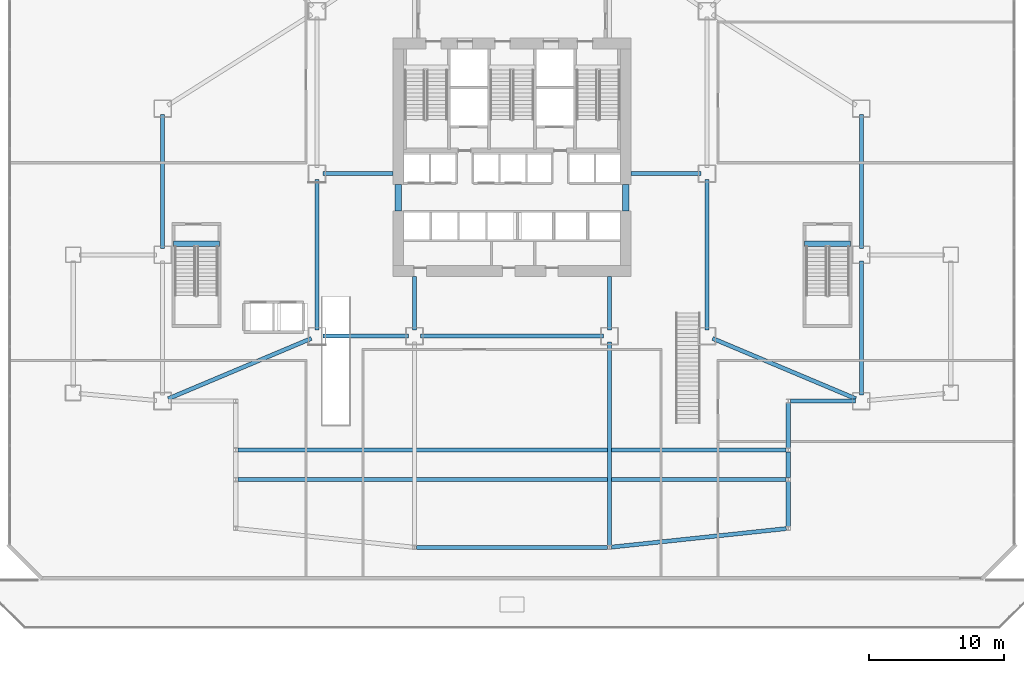
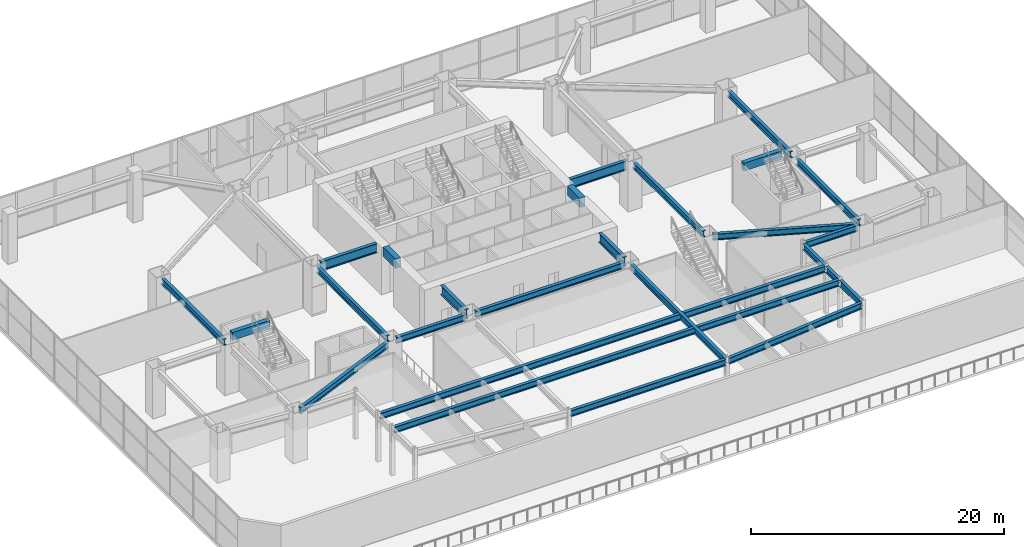
# One storey, part 8 of 31: 26 beams.
"""IFC4 building model written with IfcOpenShell, lengths in metres."""

from ifc_helpers import new_model, si_unit, direction, frame, origin, origin_2d, place, context, subcontext, project, spatial, rectangle, i_section, extrude, material, material_profile, profile_set, type_object, element, save


model = new_model("IFC4")

# Units and contexts
model_context = context("Model", 3, precision=1e-05, world=origin(), true_north=direction((0.0, 1.0)))
body_context = subcontext(model_context, "Body", "Model", "MODEL_VIEW")
ifc_project = project(units=[si_unit("LENGTHUNIT", "METRE"), si_unit("AREAUNIT", "SQUARE_METRE"), si_unit("VOLUMEUNIT", "CUBIC_METRE"), si_unit("PLANEANGLEUNIT", "RADIAN"), si_unit("MASSUNIT", "GRAM", prefix="KILO")], contexts=[model_context])

# Site, building, storey
site_placement = place(None, origin())
site = spatial("IfcSite", under=ifc_project, at=site_placement, CompositionType="ELEMENT")
building_placement = place(site_placement, origin())
building = spatial("IfcBuilding", under=site, at=building_placement, Name="Haolan Belvedere Tower", CompositionType="ELEMENT")
storey_placement = place(building_placement, frame((0.0, 0.0, 5.39990234375)))
storey = spatial("IfcBuildingStorey", under=building, at=storey_placement, Name="L01", CompositionType="ELEMENT", Elevation=5.39990234375)

# Beams
ifc_material_1 = material(Name="Steel Q355B", Category="steel")
ifc_material_profile_1 = material_profile(ifc_material_1, i_section(OverallWidth=0.300048828125, OverallDepth=0.587890625, WebThickness=0.011962890625, FlangeThickness=0.02001953125, FilletRadius=0.028076171875, at=origin_2d()), Name="Steel Q355B")
ifc_profile_set_1 = profile_set([ifc_material_profile_1], Name="Steel Q355B")
beam_type_1 = type_object("IfcBeamType", Name="BM-HM588x300x12x20", PredefinedType="SPANDREL", material=ifc_profile_set_1)
for number, where, z_axis, x_axis, name in (
    (1, (24.0, 22.050048828125, 4.26611328125), (0.0, 1.0, 0.0), (-1.0, 0.0, 0.0), "L01 spandrel girder MC-T3-SW-MC-T3-MW"),
    (2, (52.800048828125, 22.050048828125, 4.26611328125), (0.0, 1.0, 0.0), (-1.0, 0.0, 0.0), "L01 spandrel girder MC-T3-SE-MC-T3-ME"),
):
    element("IfcBeam", number, at=place(storey_placement, frame(where, z_axis=z_axis, x_axis=x_axis)), inside=storey, type_object=beam_type_1, Name=name, PredefinedType="SPANDREL", context=body_context, shape_type="SweptSolid", body=[
        extrude(i_section(OverallWidth=0.300048828125, OverallDepth=0.587890625, WebThickness=0.011962890625, FlangeThickness=0.02001953125, FilletRadius=0.028076171875, at=origin_2d()), origin(), (0.0, 0.0, 1.0), 11.099853515625),
    ])
beam_1_placement = place(storey_placement, frame((24.449951171875, 21.60009765625, 4.26611328125), z_axis=(1.0, 0.0, 0.0), x_axis=(0.0, 1.0, 0.0)))
element("IfcBeam", 3, at=beam_1_placement, inside=storey, type_object=beam_type_1, Name="L01 spandrel girder MC-T3-SW-MC-T3-S1", PredefinedType="SPANDREL", context=body_context, shape_type="SweptSolid", body=[
    extrude(i_section(OverallWidth=0.300048828125, OverallDepth=0.587890625, WebThickness=0.011962890625, FlangeThickness=0.02001953125, FilletRadius=0.028076171875, at=origin_2d()), origin(), (0.0, 0.0, 1.0), 6.300048828125),
])
beam_2_placement = place(storey_placement, frame((31.64990234375, 21.60009765625, 4.26611328125), z_axis=(1.0, 0.0, 0.0), x_axis=(0.0, 1.0, 0.0)))
element("IfcBeam", 4, at=beam_2_placement, inside=storey, type_object=beam_type_1, Name="L01 spandrel girder MC-T3-S1-MC-T3-S2", PredefinedType="SPANDREL", context=body_context, shape_type="SweptSolid", body=[
    extrude(i_section(OverallWidth=0.300048828125, OverallDepth=0.587890625, WebThickness=0.011962890625, FlangeThickness=0.02001953125, FilletRadius=0.028076171875, at=origin_2d()), origin(), (0.0, 0.0, 1.0), 13.5),
])
beam_3_placement = place(storey_placement, frame((12.60009765625, 28.050048828125, 4.26611328125), z_axis=(0.0, 1.0, 0.0), x_axis=(-1.0, 0.0, 0.0)))
element("IfcBeam", 5, at=beam_3_placement, inside=storey, type_object=beam_type_1, Name="L01 spandrel girder MC-T2-MW-MC-T2-NW", PredefinedType="SPANDREL", context=body_context, shape_type="SweptSolid", body=[
    extrude(i_section(OverallWidth=0.300048828125, OverallDepth=0.587890625, WebThickness=0.011962890625, FlangeThickness=0.02001953125, FilletRadius=0.028076171875, at=origin_2d()), origin(), (0.0, 0.0, 1.0), 9.89990234375),
])
beam_4_placement = place(storey_placement, frame((13.0146484375, 16.974609375, 4.26611328125), z_axis=(0.921637779233, 0.388051290284, 0.0), x_axis=(-0.388051290284, 0.921637779233, 0.0)))
element("IfcBeam", 6, at=beam_4_placement, inside=storey, type_object=beam_type_1, Name="L01 spandrel girder MC-T2-SW-MC-T3-SW", PredefinedType="SPANDREL", context=body_context, shape_type="SweptSolid", body=[
    extrude(i_section(OverallWidth=0.300048828125, OverallDepth=0.587890625, WebThickness=0.011962890625, FlangeThickness=0.02001953125, FilletRadius=0.028076171875, at=origin_2d()), origin(), (0.0, 0.0, 1.0), 11.46923828125),
])
for number, where, z_axis, x_axis, name in (
    (7, (64.199951171875, 17.25, 4.26611328125), (0.0, 1.0, 0.0), (-1.0, 0.0, 0.0), "L01 spandrel girder MC-T4-SE-MC-T4-ME"),
    (8, (64.199951171875, 28.050048828125, 4.26611328125), (0.0, 1.0, 0.0), (-1.0, 0.0, 0.0), "L01 spandrel girder MC-T4-ME-MC-T4-NE"),
):
    element("IfcBeam", number, at=place(storey_placement, frame(where, z_axis=z_axis, x_axis=x_axis)), inside=storey, type_object=beam_type_1, Name=name, PredefinedType="SPANDREL", context=body_context, shape_type="SweptSolid", body=[
        extrude(i_section(OverallWidth=0.300048828125, OverallDepth=0.587890625, WebThickness=0.011962890625, FlangeThickness=0.02001953125, FilletRadius=0.028076171875, at=origin_2d()), origin(), (0.0, 0.0, 1.0), 9.89990234375),
    ])
beam_5_placement = place(storey_placement, frame((53.21484375, 21.42529296875, 4.26611328125), z_axis=(0.92163457375, -0.38805890335, 0.0), x_axis=(0.38805890335, 0.92163457375, 0.0)))
element("IfcBeam", 9, at=beam_5_placement, inside=storey, type_object=beam_type_1, Name="L01 spandrel girder MC-T3-SE-MC-T4-SE", PredefinedType="SPANDREL", context=body_context, shape_type="SweptSolid", body=[
    extrude(i_section(OverallWidth=0.300048828125, OverallDepth=0.587890625, WebThickness=0.011962890625, FlangeThickness=0.02001953125, FilletRadius=0.028076171875, at=origin_2d()), origin(), (0.0, 0.0, 1.0), 11.468994140625),
])
beam_6_placement = place(storey_placement, frame((31.35009765625, 6.0, 4.26611328125), z_axis=(1.0, 0.0, 0.0), x_axis=(0.0, 1.0, 0.0)))
element("IfcBeam", 10, at=beam_6_placement, inside=storey, type_object=beam_type_1, Name="L01 spandrel girder PC-SM-1-PC-SM-2", PredefinedType="SPANDREL", context=body_context, shape_type="SweptSolid", body=[
    extrude(i_section(OverallWidth=0.300048828125, OverallDepth=0.587890625, WebThickness=0.011962890625, FlangeThickness=0.02001953125, FilletRadius=0.028076171875, at=origin_2d()), origin(), (0.0, 0.0, 1.0), 14.099853515625),
])
beam_7_placement = place(storey_placement, frame((45.749267578125, 6.015869140625, 4.26611328125), z_axis=(0.99442213614, 0.105473291192, 0.0), x_axis=(-0.105473291192, 0.99442213614, 0.0)))
element("IfcBeam", 11, at=beam_7_placement, inside=storey, type_object=beam_type_1, Name="L01 spandrel girder PC-SM-2-PC-SE-1", PredefinedType="SPANDREL", context=body_context, shape_type="SweptSolid", body=[
    extrude(i_section(OverallWidth=0.300048828125, OverallDepth=0.587890625, WebThickness=0.011962890625, FlangeThickness=0.02001953125, FilletRadius=0.028076171875, at=origin_2d()), origin(), (0.0, 0.0, 1.0), 12.973876953125),
])
beam_8_placement = place(storey_placement, frame((58.800048828125, 7.550048828125, 4.26611328125), z_axis=(0.0, 1.0, 0.0), x_axis=(-1.0, 0.0, 0.0)))
element("IfcBeam", 12, at=beam_8_placement, inside=storey, type_object=beam_type_1, Name="L01 spandrel girder PC-SE-1-PC-CS2-E", PredefinedType="SPANDREL", context=body_context, shape_type="SweptSolid", body=[
    extrude(i_section(OverallWidth=0.300048828125, OverallDepth=0.587890625, WebThickness=0.011962890625, FlangeThickness=0.02001953125, FilletRadius=0.028076171875, at=origin_2d()), origin(), (0.0, 0.0, 1.0), 3.300048828125),
])
beam_9_placement = place(storey_placement, frame((18.14990234375, 11.0, 4.26611328125), z_axis=(1.0, 0.0, 0.0), x_axis=(0.0, 1.0, 0.0)))
element("IfcBeam", 13, at=beam_9_placement, inside=storey, type_object=beam_type_1, Name="L01 spandrel girder PC-CS2-W-PC-CS2-E", PredefinedType="SPANDREL", context=body_context, shape_type="SweptSolid", body=[
    extrude(i_section(OverallWidth=0.300048828125, OverallDepth=0.587890625, WebThickness=0.011962890625, FlangeThickness=0.02001953125, FilletRadius=0.028076171875, at=origin_2d()), origin(), (0.0, 0.0, 1.0), 40.5),
])
beam_10_placement = place(storey_placement, frame((58.800048828125, 11.14990234375, 4.26611328125), z_axis=(0.0, 1.0, 0.0), x_axis=(-1.0, 0.0, 0.0)))
element("IfcBeam", 14, at=beam_10_placement, inside=storey, type_object=beam_type_1, Name="L01 spandrel girder PC-CS2-E-PC-CS3-E", PredefinedType="SPANDREL", context=body_context, shape_type="SweptSolid", body=[
    extrude(i_section(OverallWidth=0.300048828125, OverallDepth=0.587890625, WebThickness=0.011962890625, FlangeThickness=0.02001953125, FilletRadius=0.028076171875, at=origin_2d()), origin(), (0.0, 0.0, 1.0), 1.900146484375),
])
beam_11_placement = place(storey_placement, frame((18.14990234375, 13.199951171875, 4.26611328125), z_axis=(1.0, 0.0, 0.0), x_axis=(0.0, 1.0, 0.0)))
element("IfcBeam", 15, at=beam_11_placement, inside=storey, type_object=beam_type_1, Name="L01 spandrel girder PC-CS3-W-PC-CS3-E", PredefinedType="SPANDREL", context=body_context, shape_type="SweptSolid", body=[
    extrude(i_section(OverallWidth=0.300048828125, OverallDepth=0.587890625, WebThickness=0.011962890625, FlangeThickness=0.02001953125, FilletRadius=0.028076171875, at=origin_2d()), origin(), (0.0, 0.0, 1.0), 40.5),
])
beam_12_placement = place(storey_placement, frame((58.800048828125, 13.35009765625, 4.26611328125), z_axis=(0.0, 1.0, 0.0), x_axis=(-1.0, 0.0, 0.0)))
element("IfcBeam", 16, at=beam_12_placement, inside=storey, type_object=beam_type_1, Name="L01 spandrel girder PC-CS3-E-PC-CS4-E", PredefinedType="SPANDREL", context=body_context, shape_type="SweptSolid", body=[
    extrude(i_section(OverallWidth=0.300048828125, OverallDepth=0.587890625, WebThickness=0.011962890625, FlangeThickness=0.02001953125, FilletRadius=0.028076171875, at=origin_2d()), origin(), (0.0, 0.0, 1.0), 3.2998046875),
])
beam_13_placement = place(storey_placement, frame((58.949951171875, 16.800048828125, 4.26611328125), z_axis=(1.0, 0.0, 0.0), x_axis=(0.0, 1.0, 0.0)))
element("IfcBeam", 17, at=beam_13_placement, inside=storey, type_object=beam_type_1, Name="L01 spandrel girder PC-CS4-E-MC-T4-SE", PredefinedType="SPANDREL", context=body_context, shape_type="SweptSolid", body=[
    extrude(i_section(OverallWidth=0.300048828125, OverallDepth=0.587890625, WebThickness=0.011962890625, FlangeThickness=0.02001953125, FilletRadius=0.028076171875, at=origin_2d()), origin(), (0.0, 0.0, 1.0), 4.800048828125),
])
beam_14_placement = place(storey_placement, frame((45.60009765625, 6.14990234375, 4.26611328125), z_axis=(0.0, 1.0, 0.0), x_axis=(-1.0, 0.0, 0.0)))
element("IfcBeam", 18, at=beam_14_placement, inside=storey, type_object=beam_type_1, Name="L01 spandrel girder PC-SM-2-MC-T3-S2", PredefinedType="SPANDREL", context=body_context, shape_type="SweptSolid", body=[
    extrude(i_section(OverallWidth=0.300048828125, OverallDepth=0.587890625, WebThickness=0.011962890625, FlangeThickness=0.02001953125, FilletRadius=0.028076171875, at=origin_2d()), origin(), (0.0, 0.0, 1.0), 15.0),
])
ifc_material_profile_2 = material_profile(ifc_material_1, i_section(OverallWidth=0.300048828125, OverallDepth=0.89990234375, WebThickness=0.01611328125, FlangeThickness=0.028076171875, FilletRadius=0.028076171875, at=origin_2d()), Name="Steel Q355B")
ifc_profile_set_2 = profile_set([ifc_material_profile_2], Name="Steel Q355B")
beam_type_2 = type_object("IfcBeamType", Name="BM-HN900x300x16x28", PredefinedType="BEAM", material=ifc_profile_set_2)
for number, where, z_axis, x_axis, name in (
    (19, (24.449951171875, 33.60009765625, 4.110107421875), (1.0, 0.0, 0.0), (0.0, 1.0, 0.0), "L01 core tie beam from MC-T3-MW"),
    (20, (52.35009765625, 33.60009765625, 4.110107421875), (-1.0, 0.0, 0.0), (0.0, -1.0, 0.0), "L01 core tie beam from MC-T3-ME"),
):
    element("IfcBeam", number, at=place(storey_placement, frame(where, z_axis=z_axis, x_axis=x_axis)), inside=storey, type_object=beam_type_2, Name=name, PredefinedType="BEAM", context=body_context, shape_type="SweptSolid", body=[
        extrude(i_section(OverallWidth=0.300048828125, OverallDepth=0.89990234375, WebThickness=0.01611328125, FlangeThickness=0.028076171875, FilletRadius=0.028076171875, at=origin_2d()), origin(), (0.0, 0.0, 1.0), 5.150146484375),
    ])
for number, where, z_axis, x_axis, name in (
    (21, (31.199951171875, 22.050048828125, 4.110107421875), (0.0, 1.0, 0.0), (-1.0, 0.0, 0.0), "L01 core tie beam from MC-T3-S1"),
    (22, (45.60009765625, 22.050048828125, 4.110107421875), (0.0, 1.0, 0.0), (-1.0, 0.0, 0.0), "L01 core tie beam from MC-T3-S2"),
):
    element("IfcBeam", number, at=place(storey_placement, frame(where, z_axis=z_axis, x_axis=x_axis)), inside=storey, type_object=beam_type_2, Name=name, PredefinedType="BEAM", context=body_context, shape_type="SweptSolid", body=[
        extrude(i_section(OverallWidth=0.300048828125, OverallDepth=0.89990234375, WebThickness=0.01611328125, FlangeThickness=0.028076171875, FilletRadius=0.028076171875, at=origin_2d()), origin(), (0.0, 0.0, 1.0), 3.949951171875),
    ])
ifc_material_2 = material(Name="Concrete C50/60", Category="concrete")
ifc_material_profile_3 = material_profile(ifc_material_2, rectangle(XDim=0.39990234375, YDim=0.75, at=origin_2d()), Name="Concrete C50/60")
ifc_profile_set_3 = profile_set([ifc_material_profile_3], Name="Concrete C50/60")
beam_type_3 = type_object("IfcBeamType", Name="BM-RC400x750", PredefinedType="T_BEAM", material=ifc_profile_set_3)
beam_15_placement = place(storey_placement, frame((13.389892578125, 28.429931640625, 4.425048828125), z_axis=(1.0, 0.0, 0.0), x_axis=(0.0, 1.0, 0.0)))
element("IfcBeam", 23, at=beam_15_placement, inside=storey, type_object=beam_type_3, Name="L02 podium stair ST4 RC header trimmer beam", PredefinedType="BEAM", context=body_context, shape_type="SweptSolid", body=[
    extrude(rectangle(XDim=0.39990234375, YDim=0.75, at=origin_2d()), origin(), (0.0, 0.0, 1.0), 3.400146484375),
])
beam_16_placement = place(storey_placement, frame((60.010009765625, 28.429931640625, 4.425048828125), z_axis=(1.0, 0.0, 0.0), x_axis=(0.0, 1.0, 0.0)))
element("IfcBeam", 24, at=beam_16_placement, inside=storey, type_object=beam_type_3, Name="L02 podium stair ST5 RC header trimmer beam", PredefinedType="BEAM", context=body_context, shape_type="SweptSolid", body=[
    extrude(rectangle(XDim=0.39990234375, YDim=0.75, at=origin_2d()), origin(), (0.0, 0.0, 1.0), 3.39990234375),
])
ifc_material_3 = material(Name="Concrete C60/75", Category="concrete")
ifc_material_profile_4 = material_profile(ifc_material_3, rectangle(XDim=0.5, YDim=0.89990234375, at=origin_2d()), Name="Concrete C60/75")
ifc_profile_set_4 = profile_set([ifc_material_profile_4], Name="Concrete C60/75")
beam_type_4 = type_object("IfcBeamType", Name="BM-RC500x900", PredefinedType="LINTEL", material=ifc_profile_set_4)
for number, where, z_axis, x_axis, name in (
    (25, (30.0, 30.85009765625, 4.110107421875), (0.0, 1.0, 0.0), (-1.0, 0.0, 0.0), "L01 west core coupling beam CB-01"),
    (26, (46.800048828125, 30.85009765625, 4.110107421875), (0.0, 1.0, 0.0), (-1.0, 0.0, 0.0), "L01 east core coupling beam CB-01"),
):
    element("IfcBeam", number, at=place(storey_placement, frame(where, z_axis=z_axis, x_axis=x_axis)), inside=storey, type_object=beam_type_4, Name=name, PredefinedType="LINTEL", context=body_context, shape_type="SweptSolid", body=[
        extrude(rectangle(XDim=0.5, YDim=0.89990234375, at=origin_2d()), origin(), (0.0, 0.0, 1.0), 1.949951171875),
    ])

save(model, "model.ifc")
